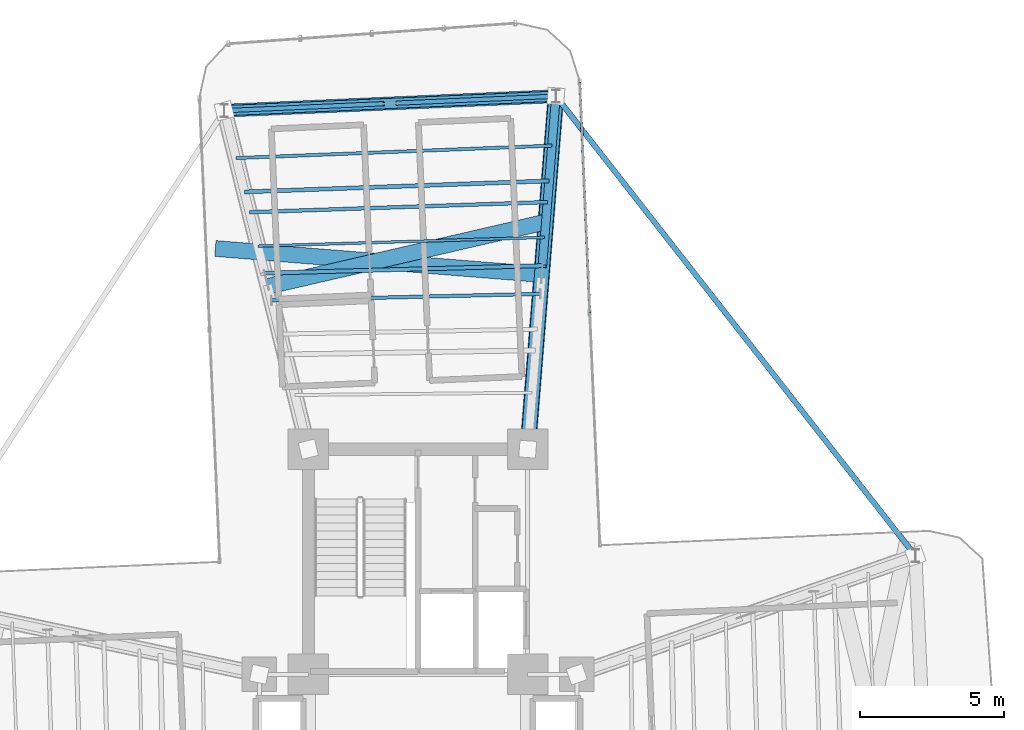
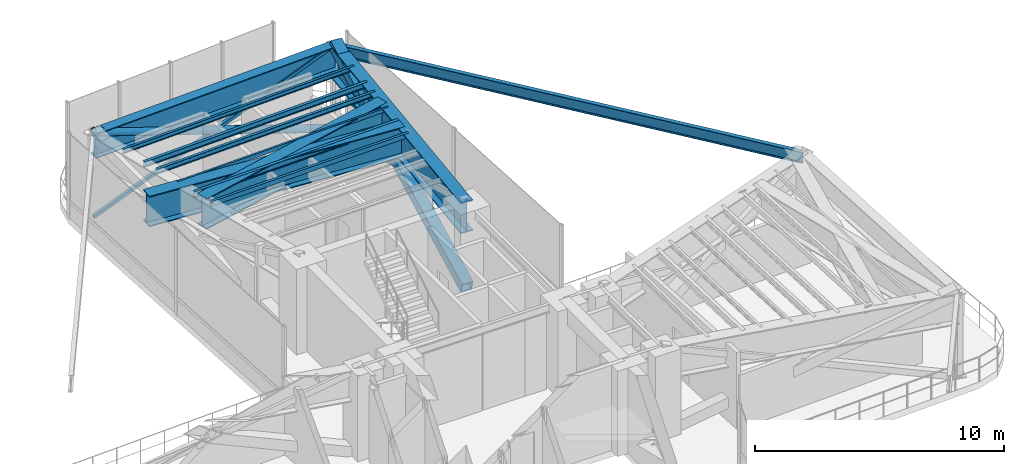
# One storey, part 10 of 18: 11 beams, 6 members, 1 element without a shape of its own.
"""IFC4 building model written with IfcOpenShell, lengths in metres."""

from ifc_helpers import new_model, si_unit, direction, frame, origin, origin_2d, place, context, subcontext, project, spatial, hollow_rectangle, hollow_circle, i_section, extrude, source, transform, mapped, material, material_profile, profile_set, type_object, element, aggregate, save


model = new_model("IFC4")

# Units and contexts
model_context = context("Model", 3, precision=1e-05, world=origin(), true_north=direction((0.0, 1.0)))
body_context = subcontext(model_context, "Body", "Model", "MODEL_VIEW")
ifc_project = project(units=[si_unit("LENGTHUNIT", "METRE"), si_unit("AREAUNIT", "SQUARE_METRE"), si_unit("VOLUMEUNIT", "CUBIC_METRE"), si_unit("PLANEANGLEUNIT", "RADIAN"), si_unit("MASSUNIT", "GRAM", prefix="KILO")], contexts=[model_context])

# Site, building, storey
site_placement = place(None, origin())
site = spatial("IfcSite", under=ifc_project, at=site_placement, CompositionType="ELEMENT")
building_placement = place(site_placement, origin())
building = spatial("IfcBuilding", under=site, at=building_placement, Name="Sahyath Konkavel Grand Hotel", CompositionType="ELEMENT")
storey_placement = place(building_placement, frame((0.0, 0.0, 138.25)))
storey = spatial("IfcBuildingStorey", under=building, at=storey_placement, Name="L38", CompositionType="ELEMENT", Elevation=138.25)

# Beams
ifc_material_1 = material(Name="Steel E350", Category="steel")
ifc_material_profile_1 = material_profile(ifc_material_1, i_section(OverallWidth=0.139892578125, OverallDepth=0.300048828125, WebThickness=0.0078125, FlangeThickness=0.01318359375, FilletRadius=0.013916015625, at=origin_2d()), Name="ISMB 300")
ifc_profile_set_1 = profile_set([ifc_material_profile_1], Name="Steel E350")
beam_type_1 = type_object("IfcBeamType", Name="BM-ISMB300", PredefinedType="BEAM", material=ifc_profile_set_1)
shared_shape_1 = source(origin(), body_context, "Body", "SweptSolid", [
    extrude(i_section(OverallWidth=0.139892578125, OverallDepth=0.300048828125, WebThickness=0.0078125, FlangeThickness=0.01318359375, FilletRadius=0.013916015625, at=origin_2d()), origin(), (0.0, 0.0, 1.0), 9.625732421875),
])
beam_1_placement = place(storey_placement, frame((4.3076171875, 16.559326171875, 4.030029296875), z_axis=(-0.999633060528, -0.027087714933, 0.0), x_axis=(0.027087714933, -0.999633060528, 0.0)))
element("IfcBeam", 1, at=beam_1_placement, inside=storey, type_object=beam_type_1, Name="L38 Secondary Floor Beam N-2", PredefinedType="BEAM", context=body_context, shape_type="MappedRepresentation", body=[
    mapped(shared_shape_1, transform((0.0, 0.0, 0.0), scale=1.0)),
])
ifc_material_profile_2 = material_profile(ifc_material_1, i_section(OverallWidth=0.139892578125, OverallDepth=0.27490234375, WebThickness=0.00634765625, FlangeThickness=0.0087890625, FilletRadius=0.012939453125, at=origin_2d()), Name="ISLB 275")
ifc_profile_set_2 = profile_set([ifc_material_profile_2], Name="Steel E350")
beam_type_2 = type_object("IfcBeamType", Name="BM-ISLB275", PredefinedType="BEAM", material=ifc_profile_set_2)
shared_shape_2 = source(origin(), body_context, "Body", "SweptSolid", [
    extrude(i_section(OverallWidth=0.139892578125, OverallDepth=0.27490234375, WebThickness=0.00634765625, FlangeThickness=0.0087890625, FilletRadius=0.012939453125, at=origin_2d()), origin(), (0.0, 0.0, 1.0), 10.562744140625),
])
beam_2_placement = place(storey_placement, frame((4.5419921875, 19.49462890625, 4.04248046875), z_axis=(-0.999348077295, -0.036102914095, 0.0), x_axis=(0.036102914095, -0.999348077295, 0.0)))
element("IfcBeam", 2, at=beam_2_placement, inside=storey, type_object=beam_type_2, Name="L38 Secondary Floor Beam N-3", PredefinedType="BEAM", context=body_context, shape_type="MappedRepresentation", body=[
    mapped(shared_shape_2, transform((0.0, 0.0, 0.0), scale=1.0)),
])
ifc_material_2 = material(Name="Steel E450", Category="steel")
ifc_material_profile_3 = material_profile(ifc_material_2, i_section(OverallWidth=0.550048828125, OverallDepth=1.5, WebThickness=0.028076171875, FlangeThickness=0.050048828125, at=origin_2d()), Name="BPG 1500x550")
ifc_profile_set_3 = profile_set([ifc_material_profile_3], Name="Steel E450")
beam_type_3 = type_object("IfcBeamType", Name="BM-BPG1500", PredefinedType="BEAM", material=ifc_profile_set_3)
shared_shape_3 = source(origin(), body_context, "Body", "SweptSolid", [
    extrude(i_section(OverallWidth=0.550048828125, OverallDepth=1.5, WebThickness=0.028076171875, FlangeThickness=0.050048828125, at=origin_2d()), origin(), (0.0, 0.0, 1.0), 12.2685546875),
])
beam_3_placement = place(storey_placement, frame((3.800048828125, 10.199951171875, 3.429931640625), z_axis=(0.079558563357, 0.996830193662, 0.0), x_axis=(-0.996830193662, 0.079558563357, 0.0)))
element("IfcBeam", 3, at=beam_3_placement, inside=storey, type_object=beam_type_3, Name="L38 Setback Transfer Girder NA", PredefinedType="BEAM", context=body_context, shape_type="MappedRepresentation", body=[
    mapped(shared_shape_3, transform((0.0, 0.0, 0.0), scale=1.0)),
])
shared_shape_4 = source(origin(), body_context, "Body", "SweptSolid", [
    extrude(i_section(OverallWidth=0.550048828125, OverallDepth=1.5, WebThickness=0.028076171875, FlangeThickness=0.050048828125, at=origin_2d()), origin(), (0.0, 0.0, 1.0), 9.884765625),
])
beam_4_placement = place(storey_placement, frame((4.428466796875, 18.07275390625, 3.429931640625), z_axis=(-0.974209385626, -0.225645901711, 0.0), x_axis=(0.225645901711, -0.974209385626, 0.0)))
element("IfcBeam", 4, at=beam_4_placement, inside=storey, type_object=beam_type_3, Name="L38 Setback Cross Transfer Girder N-1", PredefinedType="BEAM", context=body_context, shape_type="MappedRepresentation", body=[
    mapped(shared_shape_4, transform((0.0, 0.0, 0.0), scale=1.0)),
])
shared_shape_5 = source(origin(), body_context, "Body", "SweptSolid", [
    extrude(i_section(OverallWidth=0.550048828125, OverallDepth=1.5, WebThickness=0.028076171875, FlangeThickness=0.050048828125, at=origin_2d()), origin(), (0.0, 0.0, 1.0), 11.340576171875),
])
beam_5_placement = place(storey_placement, frame((4.282958984375, 16.2509765625, 3.429931640625), z_axis=(-0.996829500519, 0.079567247623, 0.0), x_axis=(-0.079567247623, -0.996829500519, 0.0)))
element("IfcBeam", 5, at=beam_5_placement, inside=storey, type_object=beam_type_3, Name="L38 Setback Cross Transfer Girder N-2", PredefinedType="BEAM", context=body_context, shape_type="MappedRepresentation", body=[
    mapped(shared_shape_5, transform((0.0, 0.0, 0.0), scale=1.0)),
])
ifc_material_profile_4 = material_profile(ifc_material_2, i_section(OverallWidth=0.449951171875, OverallDepth=1.199951171875, WebThickness=0.02197265625, FlangeThickness=0.0400390625, at=origin_2d()), Name="BPG 1200x450")
ifc_profile_set_4 = profile_set([ifc_material_profile_4], Name="Steel E450")
beam_type_4 = type_object("IfcBeamType", Name="BM-BPG1200", PredefinedType="BEAM", material=ifc_profile_set_4)
shared_shape_6 = source(origin(), body_context, "Body", "SweptSolid", [
    extrude(i_section(OverallWidth=0.449951171875, OverallDepth=1.199951171875, WebThickness=0.02197265625, FlangeThickness=0.0400390625, at=origin_2d()), origin(), (0.0, 0.0, 1.0), 11.5),
])
beam_6_placement = place(storey_placement, frame((4.776123046875, 22.4296875, 3.580078125), z_axis=(-0.99904788879, -0.043627008892, 0.0), x_axis=(0.043627008892, -0.99904788879, 0.0)))
element("IfcBeam", 6, at=beam_6_placement, inside=storey, type_object=beam_type_4, Name="L38 Wing Tip Edge Beam N", PredefinedType="BEAM", context=body_context, shape_type="MappedRepresentation", body=[
    mapped(shared_shape_6, transform((0.0, 0.0, 0.0), scale=1.0)),
])
ifc_material_profile_5 = material_profile(ifc_material_1, i_section(OverallWidth=0.18994140625, OverallDepth=0.550048828125, WebThickness=0.01123046875, FlangeThickness=0.019287109375, FilletRadius=0.01806640625, at=origin_2d()), Name="ISMB 550")
ifc_profile_set_5 = profile_set([ifc_material_profile_5], Name="Steel E350")
beam_type_5 = type_object("IfcBeamType", Name="BM-ISMB550", PredefinedType="BEAM", material=ifc_profile_set_5)
shared_shape_7 = source(origin(), body_context, "Body", "SweptSolid", [
    extrude(i_section(OverallWidth=0.18994140625, OverallDepth=0.550048828125, WebThickness=0.01123046875, FlangeThickness=0.019287109375, FilletRadius=0.01806640625, at=origin_2d()), origin(), (0.0, 0.0, 1.0), 20.215576171875),
])
beam_7_placement = place(storey_placement, frame((17.232421875, 6.5078125, 3.905029296875), z_axis=(-0.616176369687, 0.787608203004, 0.0), x_axis=(-0.787608203004, -0.616176369687, 0.0)))
element("IfcBeam", 7, at=beam_7_placement, inside=storey, type_object=beam_type_5, Name="L38 Re-Entrant Tie Beam NE", PredefinedType="BEAM", context=body_context, shape_type="MappedRepresentation", body=[
    mapped(shared_shape_7, transform((0.0, 0.0, 0.0), scale=1.0)),
])

# Members
ifc_material_profile_6 = material_profile(ifc_material_2, hollow_rectangle(XDim=0.5, YDim=0.5, WallThickness=0.02490234375, at=origin_2d()), Name="BOX 500x500x25")
ifc_profile_set_6 = profile_set([ifc_material_profile_6], Name="Steel E450")
member_type_1 = type_object("IfcMemberType", Name="BR-BOX500", PredefinedType="BRACE", material=ifc_profile_set_6)
shared_shape_8 = source(origin(), body_context, "Body", "SweptSolid", [
    extrude(hollow_rectangle(XDim=0.5, YDim=0.5, WallThickness=0.02490234375, at=origin_2d()), origin(), (0.0, 0.0, 1.0), 12.95458984375),
])
member_1_placement = place(storey_placement, frame((3.800048828125, 10.199951171875, 0.010009765625), z_axis=(0.075345228732, 0.944039155301, 0.32111239429), x_axis=(-0.996830193662, 0.079558563357, 0.0)))
element("IfcMember", 8, at=member_1_placement, inside=storey, type_object=member_type_1, Name="L38 Core Outrigger Truss NA Continuous Diagonal 1", PredefinedType="BRACE", context=body_context, shape_type="MappedRepresentation", body=[
    mapped(shared_shape_8, transform((0.0, 0.0, 0.0), scale=1.0)),
])
ifc_material_profile_7 = material_profile(ifc_material_2, hollow_rectangle(XDim=0.300048828125, YDim=0.300048828125, WallThickness=0.01611328125, at=origin_2d()), Name="SHS 300x300x16")
ifc_profile_set_7 = profile_set([ifc_material_profile_7], Name="Steel E450")
member_type_2 = type_object("IfcMemberType", Name="BR-SHS300", PredefinedType="BRACE", material=ifc_profile_set_7)
shared_shape_9 = source(origin(), body_context, "Body", "SweptSolid", [
    extrude(hollow_rectangle(XDim=0.300048828125, YDim=0.300048828125, WallThickness=0.01611328125, at=origin_2d()), origin(), (0.0, 0.0, 1.0), 6.2373046875),
])
member_2_placement = place(storey_placement, frame((4.776123046875, 22.4296875, 0.010009765625), z_axis=(-0.075349006821, -0.944034985198, 0.321123767251), x_axis=(0.996829849399, -0.079562876693, 0.0)))
element("IfcMember", 9, at=member_2_placement, inside=storey, type_object=member_type_2, Name="L38 Core Outrigger Truss NA Split Lower Diagonal 2A", PredefinedType="BRACE", context=body_context, shape_type="MappedRepresentation", body=[
    mapped(shared_shape_9, transform((0.0, 0.0, 0.0), scale=1.0)),
])
ifc_material_profile_8 = material_profile(ifc_material_2, hollow_circle(Radius=0.177734375, WallThickness=0.01611328125, at=origin_2d()), Name="CHS 355.6x16")
ifc_profile_set_8 = profile_set([ifc_material_profile_8], Name="Steel E450")
member_type_3 = type_object("IfcMemberType", Name="BR-CHS356", PredefinedType="BRACE", material=ifc_profile_set_8)
shared_shape_10 = source(origin(), body_context, "Body", "SweptSolid", [
    extrude(hollow_circle(Radius=0.177734375, WallThickness=0.01611328125, at=origin_2d()), origin(), (0.0, 0.0, 1.0), 12.229248046875),
])
member_3_placement = place(storey_placement, frame((4.776123046875, 22.4296875, 0.010009765625), z_axis=(-0.939471709552, -0.041025401371, 0.34016146665), x_axis=(0.043627008892, -0.99904788879, 0.0)))
element("IfcMember", 10, at=member_3_placement, inside=storey, type_object=member_type_3, Name="L38 Perimeter Belt Truss TIP-N Continuous Diagonal 1", PredefinedType="BRACE", context=body_context, shape_type="MappedRepresentation", body=[
    mapped(shared_shape_10, transform((0.0, 0.0, 0.0), scale=1.0)),
])
ifc_material_profile_9 = material_profile(ifc_material_1, hollow_rectangle(XDim=0.14990234375, YDim=0.14990234375, WallThickness=0.008056640625, at=origin_2d()), Name="SHS 150x150x8")
ifc_profile_set_9 = profile_set([ifc_material_profile_9], Name="Steel E350")
member_type_4 = type_object("IfcMemberType", Name="BR-SHS150", PredefinedType="STRUT", material=ifc_profile_set_9)
shared_shape_11 = source(origin(), body_context, "Body", "SweptSolid", [
    extrude(hollow_rectangle(XDim=0.14990234375, YDim=0.14990234375, WallThickness=0.008056640625, at=origin_2d()), origin(), (0.0, 0.0, 1.0), 5.87451171875),
])
for number, where, z_axis, x_axis, name in (
    (11, (-6.712890625, 21.927978515625, 0.010009765625), (0.939471996837, 0.041059821856, 0.340156520132), (-0.043663529055, 0.999046293337, 0.0), "L38 Perimeter Belt Truss TIP-N Split Lower Diagonal 2A"),
    (12, (-0.742919921875, 22.188720703125, 2.171630859375), (0.939473599131, 0.04101833329, 0.340157100278), (-0.043619419328, 0.999048220186, 0.0), "L38 Perimeter Belt Truss TIP-N Split Upper Diagonal 2B"),
):
    element("IfcMember", number, at=place(storey_placement, frame(where, z_axis=z_axis, x_axis=x_axis)), inside=storey, type_object=member_type_4, Name=name, PredefinedType="STRUT", context=body_context, shape_type="MappedRepresentation", body=[
        mapped(shared_shape_11, transform((0.0, 0.0, 0.0), scale=1.0)),
    ])

# Beams
ifc_material_profile_10 = material_profile(ifc_material_1, hollow_rectangle(XDim=0.1201171875, YDim=0.219970703125, WallThickness=0.010009765625, at=origin_2d()), Name="RHS 220x120x10")
ifc_profile_set_10 = profile_set([ifc_material_profile_10], Name="Steel E350")
beam_type_6 = type_object("IfcBeamType", Name="BM-RHS220", PredefinedType="BEAM", material=ifc_profile_set_10)
shared_shape_12 = source(origin(), body_context, "Body", "SweptSolid", [
    extrude(hollow_rectangle(XDim=0.1201171875, YDim=0.219970703125, WallThickness=0.010009765625, at=origin_2d()), origin(), (0.0, 0.0, 1.0), 9.31396484375),
])
beam_8_placement = place(storey_placement, frame((4.2294921875, 15.5810546875, 4.070068359375), z_axis=(-0.999719207624, -0.023696115884, 0.0), x_axis=(0.023696115884, -0.999719207624, 0.0)))
element("IfcBeam", 13, at=beam_8_placement, inside=storey, type_object=beam_type_6, Name="L38 Composite Deck Sub-Beam N-3", PredefinedType="BEAM", context=body_context, shape_type="MappedRepresentation", body=[
    mapped(shared_shape_12, transform((0.0, 0.0, 0.0), scale=1.0)),
])
ifc_material_profile_11 = material_profile(ifc_material_1, hollow_rectangle(XDim=0.090087890625, YDim=0.179931640625, WallThickness=0.008056640625, at=origin_2d()), Name="RHS 180x90x8")
ifc_profile_set_11 = profile_set([ifc_material_profile_11], Name="Steel E350")
beam_type_7 = type_object("IfcBeamType", Name="BM-RHS180", PredefinedType="BEAM", material=ifc_profile_set_11)
shared_shape_13 = source(origin(), body_context, "Body", "SweptSolid", [
    extrude(hollow_rectangle(XDim=0.090087890625, YDim=0.179931640625, WallThickness=0.008056640625, at=origin_2d()), origin(), (0.0, 0.0, 1.0), 9.93798828125),
])
beam_9_placement = place(storey_placement, frame((4.3857421875, 17.537841796875, 4.090087890625), z_axis=(-0.999541134068, -0.030290614159, 0.0), x_axis=(0.030290614159, -0.999541134068, 0.0)))
element("IfcBeam", 14, at=beam_9_placement, inside=storey, type_object=beam_type_7, Name="L38 Composite Deck Sub-Beam N-4", PredefinedType="BEAM", context=body_context, shape_type="MappedRepresentation", body=[
    mapped(shared_shape_13, transform((0.0, 0.0, 0.0), scale=1.0)),
])
ifc_material_profile_12 = material_profile(ifc_material_1, i_section(OverallWidth=0.125, OverallDepth=0.25, WebThickness=0.0068359375, FlangeThickness=0.012451171875, FilletRadius=0.012939453125, at=origin_2d()), Name="ISMB 250")
ifc_profile_set_12 = profile_set([ifc_material_profile_12], Name="Steel E350")
beam_type_8 = type_object("IfcBeamType", Name="BM-ISMB250", PredefinedType="BEAM", material=ifc_profile_set_12)
shared_shape_14 = source(origin(), body_context, "Body", "SweptSolid", [
    extrude(i_section(OverallWidth=0.125, OverallDepth=0.25, WebThickness=0.0068359375, FlangeThickness=0.012451171875, FilletRadius=0.012939453125, at=origin_2d()), origin(), (0.0, 0.0, 1.0), 10.328369140625),
])
beam_10_placement = place(storey_placement, frame((4.4833984375, 18.7607421875, 4.054931640625), z_axis=(-0.999422142561, -0.033990895225, 0.0), x_axis=(0.033990895225, -0.999422142561, 0.0)))
element("IfcBeam", 15, at=beam_10_placement, inside=storey, type_object=beam_type_8, Name="L38 Composite Deck Sub-Beam N-5", PredefinedType="BEAM", context=body_context, shape_type="MappedRepresentation", body=[
    mapped(shared_shape_14, transform((0.0, 0.0, 0.0), scale=1.0)),
])
ifc_material_profile_13 = material_profile(ifc_material_1, i_section(OverallWidth=0.110107421875, OverallDepth=0.22509765625, WebThickness=0.006591796875, FlangeThickness=0.01171875, FilletRadius=0.011962890625, at=origin_2d()), Name="ISMB 225")
ifc_profile_set_13 = profile_set([ifc_material_profile_13], Name="Steel E350")
beam_type_9 = type_object("IfcBeamType", Name="BM-ISMB225", PredefinedType="BEAM", material=ifc_profile_set_13)
shared_shape_15 = source(origin(), body_context, "Body", "SweptSolid", [
    extrude(i_section(OverallWidth=0.110107421875, OverallDepth=0.22509765625, WebThickness=0.006591796875, FlangeThickness=0.01171875, FilletRadius=0.011962890625, at=origin_2d()), origin(), (0.0, 0.0, 1.0), 10.953125),
])
beam_11_placement = place(storey_placement, frame((4.639404296875, 20.717529296875, 4.0673828125), z_axis=(-0.99922407579, -0.039385864996, 0.0), x_axis=(0.039385864996, -0.99922407579, 0.0)))
element("IfcBeam", 16, at=beam_11_placement, inside=storey, type_object=beam_type_9, Name="L38 Composite Deck Sub-Beam N-6", PredefinedType="BEAM", context=body_context, shape_type="MappedRepresentation", body=[
    mapped(shared_shape_15, transform((0.0, 0.0, 0.0), scale=1.0)),
])

# Curtain wall, member
ifc_material_3 = material(Name="Anodised Bronze Aluminium & Low-E Glazing", Category="aluminium")
curtain_wall_type = type_object("IfcCurtainWallType", Name="CW-SKYLOBBY", PredefinedType="NOTDEFINED", material=ifc_material_3)
curtain_wall_placement = place(storey_placement, origin())
curtain_wall = element("IfcCurtainWall", 17, at=curtain_wall_placement, inside=storey, type_object=curtain_wall_type, Name="L38 Unitised Curtain Wall RF8", PredefinedType="NOTDEFINED")
ifc_material_4 = material(Name="Anodised Bronze Aluminium", Category="aluminium")
ifc_material_profile_14 = material_profile(ifc_material_4, hollow_rectangle(XDim=0.080078125, YDim=0.159912109375, WallThickness=0.006103515625, at=origin_2d()), Name="RHS 160x80x6")
ifc_profile_set_14 = profile_set([ifc_material_profile_14], Name="Anodised Bronze Aluminium")
member_type_5 = type_object("IfcMemberType", Name="CW-TRN-160", PredefinedType="USERDEFINED", material=ifc_profile_set_14)
shared_shape_16 = source(origin(), body_context, "Body", "SweptSolid", [
    extrude(hollow_rectangle(XDim=0.080078125, YDim=0.159912109375, WallThickness=0.006103515625, at=origin_2d()), origin(), (0.0, 0.0, 1.0), 8.009765625),
])
member_4_placement = place(storey_placement, frame((5.95458984375, 14.924072265625, 0.85009765625), z_axis=(-0.043617114047, 0.999048320834, 0.0), x_axis=(-0.999048320834, -0.043617114047, 0.0)))
member_4 = element("IfcMember", 18, at=member_4_placement, type_object=member_type_5, Name="L38 Curtain Wall Transom RF8-1-spandrel", ObjectType="TRANSOM", PredefinedType="USERDEFINED", context=body_context, shape_type="MappedRepresentation", body=[
    mapped(shared_shape_16, transform((0.0, 0.0, 0.0), scale=1.0)),
])
aggregate(curtain_wall, [member_4])

save(model, "model.ifc")
